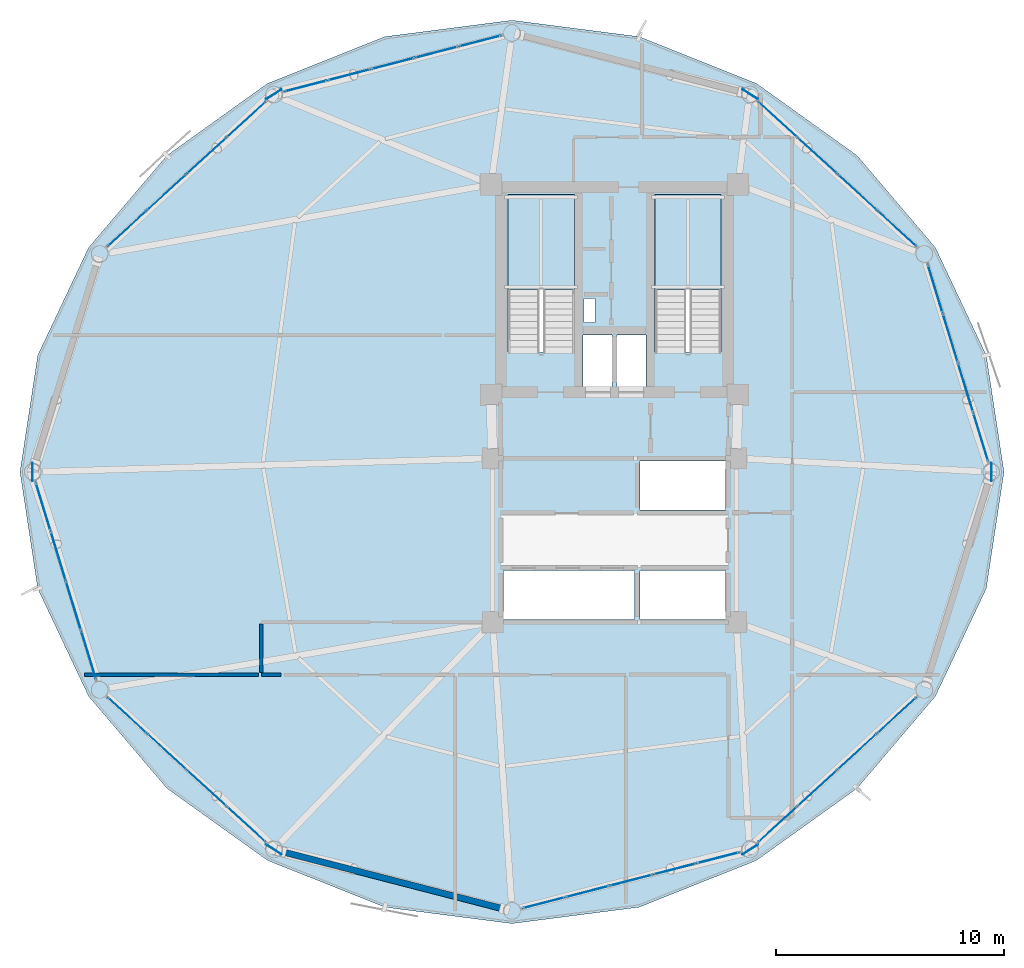
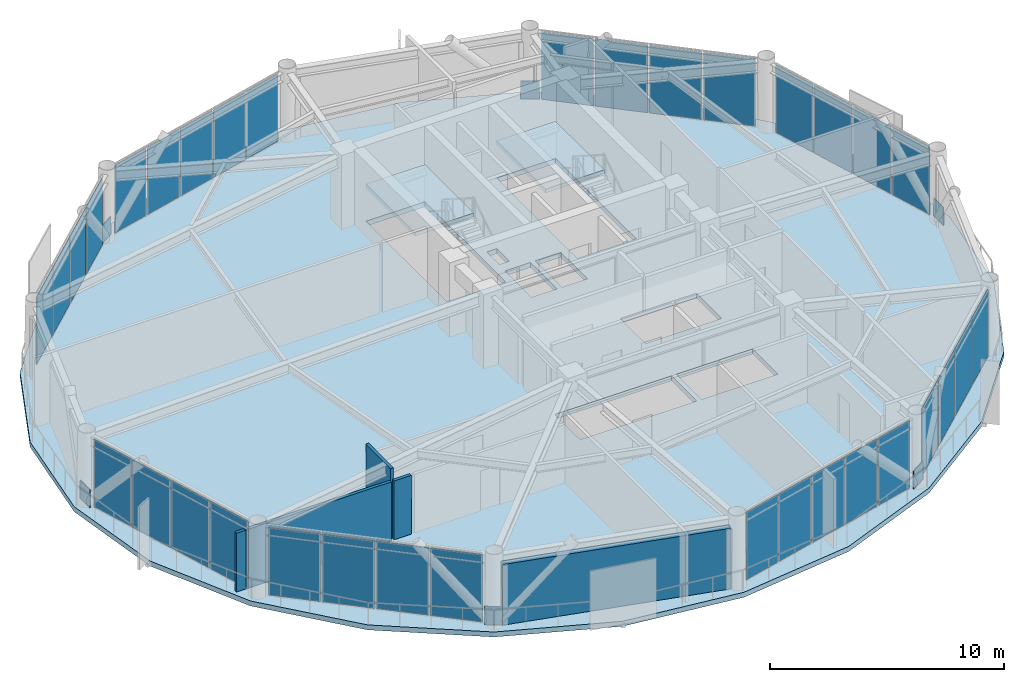
# One storey, part 21 of 27: 40 plates, 4 walls, 3 slabs, 10 elements without a shape of their own.
"""IFC4 building model written with IfcOpenShell, lengths in metres."""

from ifc_helpers import new_model, si_unit, direction, frame, frame_2d, origin, origin_2d, place, context, subcontext, project, spatial, polyline, rectangle, outline, extrude, source, transform, mapped, material, layer, layer_set, type_object, type_shapes, element, aggregate, save


model = new_model("IFC4")

# Units and contexts
model_context = context("Model", 3, precision=1e-05, world=origin(), true_north=direction((0.0, 1.0)))
body_context = subcontext(model_context, "Body", "Model", "MODEL_VIEW")
ifc_project = project(units=[si_unit("LENGTHUNIT", "METRE"), si_unit("AREAUNIT", "SQUARE_METRE"), si_unit("VOLUMEUNIT", "CUBIC_METRE"), si_unit("PLANEANGLEUNIT", "RADIAN"), si_unit("MASSUNIT", "GRAM", prefix="KILO")], contexts=[model_context])

# Site, building, storey
site_placement = place(None, origin())
site = spatial("IfcSite", under=ifc_project, at=site_placement, CompositionType="ELEMENT")
building_placement = place(site_placement, origin())
building = spatial("IfcBuilding", under=site, at=building_placement, Name="Varnakorn Sky Granary", CompositionType="ELEMENT")
storey_placement = place(building_placement, frame((0.0, 0.0, 134.39990234375)))
storey = spatial("IfcBuildingStorey", under=building, at=storey_placement, Name="L33", CompositionType="ELEMENT", Elevation=134.39990234375)

# Plates
ifc_material_1 = material(Name="Steel S460M", Category="steel")
ifc_layer_1 = layer(ifc_material_1, 0.0380859375, Name="Steel S460M")
ifc_layer_set_1 = layer_set([ifc_layer_1], Name="Steel S460M")
plate_type_1 = type_object("IfcPlateType", Name="PL-NODE-KN3", PredefinedType="SHEET", material=ifc_layer_set_1)
for number, where, z_axis, x_axis, name in (
    (1, (19.550048828125, 0.0, 0.000244140625), (0.0, 0.0, 1.0), (0.0, 1.0, 0.0), "Diagrid Node Gusset Assembly KN3 L33-1"),
    (2, (8.95751953125, 16.5791015625, 0.000244140625), (0.0, 0.0, 1.0), (-0.845801399197, 0.533497884828, 0.0), "Diagrid Node Gusset Assembly KN3 L33-3"),
    (3, (-11.95751953125, 16.5791015625, 0.000244140625), (0.0, 0.0, 1.0), (-0.845801399197, -0.533497884828, 0.0), "Diagrid Node Gusset Assembly KN3 L33-5"),
    (4, (-22.550048828125, 0.0, 0.000244140625), (0.0, 0.0, 1.0), (0.0, -1.0, 0.0), "Diagrid Node Gusset Assembly KN3 L33-7"),
    (5, (-11.95751953125, -16.5791015625, 0.000244140625), (0.0, 0.0, 1.0), (0.845801399197, -0.533497884828, 0.0), "Diagrid Node Gusset Assembly KN3 L33-9"),
    (6, (8.95751953125, -16.5791015625, 0.000244140625), (0.0, 0.0, 1.0), (0.845801399197, 0.533497884828, 0.0), "Diagrid Node Gusset Assembly KN3 L33-11"),
):
    element("IfcPlate", number, at=place(storey_placement, frame(where, z_axis=z_axis, x_axis=x_axis)), inside=storey, type_object=plate_type_1, Name=name, PredefinedType="SHEET", context=body_context, shape_type="SweptSolid", body=[
        extrude(rectangle(XDim=0.820068359375, YDim=0.0380859375, at=origin_2d()), origin(), (0.0, 0.0, 1.0), 0.93994140625),
    ])

# Stair, slab
ifc_material_2 = material(Name="Concrete C40/50", Category="concrete")
stair_type = type_object("IfcStairType", Name="ST-MAIN-ASSEMBLY", PredefinedType="HALF_TURN_STAIR", material=ifc_material_2)
stair_1_placement = place(storey_placement, origin())
stair_1 = element("IfcStair", 7, at=stair_1_placement, inside=storey, type_object=stair_type, Name="L33 Protected Exit Stair ST-1", PredefinedType="HALF_TURN_STAIR")
ifc_layer_2 = layer(ifc_material_2, 0.199951171875, Name="Concrete C40/50")
ifc_layer_set_2 = layer_set([ifc_layer_2], Name="Concrete C40/50")
slab_type_1 = type_object("IfcSlabType", Name="ST-MAIN-LAND", PredefinedType="LANDING", material=ifc_layer_set_2)
slab_1_placement = place(storey_placement, frame((0.0, 0.0, 1.75)))
slab_1 = element("IfcSlab", 8, at=slab_1_placement, type_object=slab_type_1, Name="ST-1 landing 1", PredefinedType="LANDING", context=body_context, shape_type="SweptSolid", body=[
    extrude(outline(polyline([(1.239990234375, 8.0), (1.239990234375, 12.179931640625), (-1.669921875, 12.179931640625), (-1.669921875, 8.0), (1.239990234375, 8.0)])), origin(), (0.0, 0.0, 1.0), 0.2001953125),
])
aggregate(stair_1, [slab_1])

stair_2_placement = place(storey_placement, origin())
stair_2 = element("IfcStair", 9, at=stair_2_placement, inside=storey, type_object=stair_type, Name="L33 Protected Exit Stair ST-2", PredefinedType="HALF_TURN_STAIR")
slab_2_placement = place(storey_placement, frame((0.0, 0.0, 1.75)))
slab_2 = element("IfcSlab", 10, at=slab_2_placement, type_object=slab_type_1, Name="ST-2 landing 1", PredefinedType="LANDING", context=body_context, shape_type="SweptSolid", body=[
    extrude(outline(polyline([(7.679931640625, 8.0), (7.679931640625, 12.179931640625), (4.77001953125, 12.179931640625), (4.77001953125, 8.0), (7.679931640625, 8.0)])), origin(), (0.0, 0.0, 1.0), 0.2001953125),
])
aggregate(stair_2, [slab_2])

# Slab
ifc_material_3 = material(Name="Concrete C50/60", Category="concrete")
ifc_layer_3 = layer(ifc_material_3, 0.260009765625, Name="Concrete C50/60")
ifc_layer_set_3 = layer_set([ifc_layer_3], Name="Concrete C50/60")
slab_type_2 = type_object("IfcSlabType", Name="ST-SL-TWR-260", PredefinedType="FLOOR", material=ifc_layer_set_3)
slab_3_placement = place(storey_placement, frame((0.0, 0.0, -0.260009765625)))
element("IfcSlab", 11, at=slab_3_placement, inside=storey, type_object=slab_type_2, Name="Level L33 Structural Floor Slab", PredefinedType="FLOOR", context=body_context, shape_type="SweptSolid", body=[
    extrude(outline(polyline([(20.10009765625, 0.0), (19.320556640625, 5.12060546875), (17.089111328125, 9.846923828125), (13.646240234375, 13.893798828125), (9.232421875, 17.055419921875), (4.078857421875, 19.10986328125), (-1.5, 19.8291015625), (-7.078857421875, 19.10986328125), (-12.232421875, 17.055419921875), (-16.646240234375, 13.893798828125), (-20.089111328125, 9.846923828125), (-22.320556640625, 5.12060546875), (-23.10009765625, 0.0), (-22.320556640625, -5.12060546875), (-20.089111328125, -9.846923828125), (-16.646240234375, -13.893798828125), (-12.232421875, -17.055419921875), (-7.078857421875, -19.10986328125), (-1.5, -19.8291015625), (4.078857421875, -19.10986328125), (9.232421875, -17.055419921875), (13.646240234375, -13.893798828125), (17.089111328125, -9.846923828125), (19.320556640625, -5.12060546875), (20.10009765625, 0.0)]), holes=[polyline([(1.239990234375, 5.27490234375), (1.239990234375, 12.179931640625), (-1.669921875, 12.179931640625), (-1.669921875, 5.27490234375), (1.239990234375, 5.27490234375)]), polyline([(7.679931640625, 5.27490234375), (7.679931640625, 12.179931640625), (4.77001953125, 12.179931640625), (4.77001953125, 5.27490234375), (7.679931640625, 5.27490234375)]), polyline([(1.659912109375, 6.550048828125), (2.14990234375, 6.550048828125), (2.14990234375, 7.6201171875), (1.659912109375, 7.6201171875), (1.659912109375, 6.550048828125)]), polyline([(1.6201171875, 3.739990234375), (2.8798828125, 3.739990234375), (2.8798828125, 6.010009765625), (1.6201171875, 6.010009765625), (1.6201171875, 3.739990234375)]), polyline([(3.1201171875, 3.739990234375), (4.3798828125, 3.739990234375), (4.3798828125, 6.010009765625), (3.1201171875, 6.010009765625), (3.1201171875, 3.739990234375)]), polyline([(4.1201171875, -1.679931640625), (7.8798828125, -1.679931640625), (7.8798828125, 0.47998046875), (4.1201171875, 0.47998046875), (4.1201171875, -1.679931640625)]), polyline([(-1.8798828125, -6.47998046875), (3.8798828125, -6.47998046875), (3.8798828125, -4.320068359375), (-1.8798828125, -4.320068359375), (-1.8798828125, -6.47998046875)]), polyline([(4.1201171875, -6.47998046875), (7.8798828125, -6.47998046875), (7.8798828125, -4.320068359375), (4.1201171875, -4.320068359375), (4.1201171875, -6.47998046875)])]), origin(), (0.0, 0.0, 1.0), 0.260009765625),
])

# Curtain wall, plates
ifc_material_4 = material(Name="Anodised Bronze Aluminium Alloy 6063-T6", Category="aluminium")
ifc_layer_4 = layer(ifc_material_4, 0.179931640625, Name="Anodised Bronze Aluminium Alloy 6063-T6")
ifc_layer_set_4 = layer_set([ifc_layer_4], Name="Anodised Bronze Aluminium Alloy 6063-T6")
curtain_wall_type = type_object("IfcCurtainWallType", Name="CW-FRM-2", PredefinedType="USERDEFINED", material=ifc_layer_set_4)
curtain_wall_1_placement = place(storey_placement, origin())
curtain_wall_1 = element("IfcCurtainWall", 12, at=curtain_wall_1_placement, inside=storey, type_object=curtain_wall_type, Name="Unitised Curtain Wall CW4 CW-L33-B01", ObjectType="CURTAIN WALL", PredefinedType="USERDEFINED")
ifc_material_5 = material(Name="Low-E Tinted Laminated Glass", Category="glass")
ifc_layer_5 = layer(ifc_material_5, 0.02587890625, Name="Low-E Tinted Laminated Glass")
ifc_layer_set_5 = layer_set([ifc_layer_5], Name="Low-E Tinted Laminated Glass")
plate_type_2 = type_object("IfcPlateType", Name="CW-FRM-2-PNL", PredefinedType="CURTAIN_PANEL")
shared_shape_1 = source(origin(), body_context, "Body", "SweptSolid", [
    extrude(rectangle(XDim=2.177734375, YDim=0.02587890625, at=origin_2d()), origin(), (0.0, 0.0, 1.0), 3.510009765625),
])
plate_1_placement = place(storey_placement, frame((17.082275390625, 8.04248046875, 0.06494140625), z_axis=(0.0, 0.0, 1.0), x_axis=(0.293336913524, -0.956009129226, 0.0)))
plate_1 = element("IfcPlate", 13, at=plate_1_placement, type_object=plate_type_2, material=ifc_layer_set_5, Name="CW4 vision glazing unit 1.1", PredefinedType="CURTAIN_PANEL", context=body_context, shape_type="MappedRepresentation", body=[
    mapped(shared_shape_1, transform((0.0, 0.0, 0.0), x_axis=(1.0, 0.0, 0.0), y_axis=(0.0, 1.0, 0.0), z_axis=(0.0, 0.0, 1.0), scale=1.0)),
])
ifc_material_6 = material(Name="Opaque Insulated Aluminium Shadow-Box Unit", Category="aluminium")
ifc_layer_6 = layer(ifc_material_6, 0.02587890625, Name="Opaque Insulated Aluminium Shadow-Box Unit")
ifc_layer_set_6 = layer_set([ifc_layer_6], Name="Opaque Insulated Aluminium Shadow-Box Unit")
plate_2_placement = place(storey_placement, frame((19.08056640625, 1.529541015625, 0.06494140625), z_axis=(0.0, 0.0, 1.0), x_axis=(0.293336913524, -0.956009129226, 0.0)))
plate_2 = element("IfcPlate", 14, at=plate_2_placement, type_object=plate_type_2, material=ifc_layer_set_6, Name="CW4 opaque insulated shadow-box unit 4.1", PredefinedType="CURTAIN_PANEL", context=body_context, shape_type="MappedRepresentation", body=[
    mapped(shared_shape_1, transform((0.0, 0.0, 0.0), x_axis=(1.0, 0.0, 0.0), y_axis=(0.0, 1.0, 0.0), z_axis=(0.0, 0.0, 1.0), scale=1.0)),
])

curtain_wall_2_placement = place(storey_placement, origin())
curtain_wall_2 = element("IfcCurtainWall", 15, at=curtain_wall_2_placement, inside=storey, type_object=curtain_wall_type, Name="Unitised Curtain Wall CW4 CW-L33-B07", ObjectType="CURTAIN WALL", PredefinedType="USERDEFINED")
plate_3_placement = place(storey_placement, frame((-20.082275390625, -8.04248046875, 0.06494140625), z_axis=(0.0, 0.0, 1.0), x_axis=(-0.293336913524, 0.956009129226, 0.0)))
plate_3 = element("IfcPlate", 16, at=plate_3_placement, type_object=plate_type_2, material=ifc_layer_set_5, Name="CW4 vision glazing unit 1.1", PredefinedType="CURTAIN_PANEL", context=body_context, shape_type="MappedRepresentation", body=[
    mapped(shared_shape_1, transform((0.0, 0.0, 0.0), x_axis=(1.0, 0.0, 0.0), y_axis=(0.0, 1.0, 0.0), z_axis=(0.0, 0.0, 1.0), scale=1.0)),
])
plate_4_placement = place(storey_placement, frame((-22.08056640625, -1.529541015625, 0.06494140625), z_axis=(0.0, 0.0, 1.0), x_axis=(-0.293336913524, 0.956009129226, 0.0)))
plate_4 = element("IfcPlate", 17, at=plate_4_placement, type_object=plate_type_2, material=ifc_layer_set_6, Name="CW4 opaque insulated shadow-box unit 4.1", PredefinedType="CURTAIN_PANEL", context=body_context, shape_type="MappedRepresentation", body=[
    mapped(shared_shape_1, transform((0.0, 0.0, 0.0), x_axis=(1.0, 0.0, 0.0), y_axis=(0.0, 1.0, 0.0), z_axis=(0.0, 0.0, 1.0), scale=1.0)),
])

# Plate
shared_shape_2 = source(origin(), body_context, "Body", "SweptSolid", [
    extrude(rectangle(XDim=2.212646484375, YDim=0.02587890625, at=origin_2d()), origin(), (0.0, 0.0, 1.0), 3.510009765625),
])
plate_5_placement = place(storey_placement, frame((17.74658203125, 5.877197265625, 0.06494140625), z_axis=(0.0, 0.0, 1.0), x_axis=(0.293336913524, -0.956009129226, 0.0)))
plate_5 = element("IfcPlate", 18, at=plate_5_placement, type_object=plate_type_2, material=ifc_layer_set_5, Name="CW4 vision glazing unit 2.1", PredefinedType="CURTAIN_PANEL", context=body_context, shape_type="MappedRepresentation", body=[
    mapped(shared_shape_2, transform((0.0, 0.0, 0.0), x_axis=(1.0, 0.0, 0.0), y_axis=(0.0, 1.0, 0.0), z_axis=(0.0, 0.0, 1.0), scale=1.0)),
])

plate_6_placement = place(storey_placement, frame((18.416259765625, 3.69482421875, 0.06494140625), z_axis=(0.0, 0.0, 1.0), x_axis=(0.293336913524, -0.956009129226, 0.0)))
plate_6 = element("IfcPlate", 19, at=plate_6_placement, type_object=plate_type_2, material=ifc_layer_set_6, Name="CW4 opaque insulated shadow-box unit 3.1", PredefinedType="CURTAIN_PANEL", context=body_context, shape_type="MappedRepresentation", body=[
    mapped(shared_shape_2, transform((0.0, 0.0, 0.0), x_axis=(1.0, 0.0, 0.0), y_axis=(0.0, 1.0, 0.0), z_axis=(0.0, 0.0, 1.0), scale=1.0)),
])

aggregate(curtain_wall_1, [plate_1, plate_5, plate_6, plate_2])

plate_7_placement = place(storey_placement, frame((-20.74658203125, -5.877197265625, 0.06494140625), z_axis=(0.0, 0.0, 1.0), x_axis=(-0.293336913524, 0.956009129226, 0.0)))
plate_7 = element("IfcPlate", 20, at=plate_7_placement, type_object=plate_type_2, material=ifc_layer_set_5, Name="CW4 vision glazing unit 2.1", PredefinedType="CURTAIN_PANEL", context=body_context, shape_type="MappedRepresentation", body=[
    mapped(shared_shape_2, transform((0.0, 0.0, 0.0), x_axis=(1.0, 0.0, 0.0), y_axis=(0.0, 1.0, 0.0), z_axis=(0.0, 0.0, 1.0), scale=1.0)),
])

plate_8_placement = place(storey_placement, frame((-21.416259765625, -3.69482421875, 0.06494140625), z_axis=(0.0, 0.0, 1.0), x_axis=(-0.293336913524, 0.956009129226, 0.0)))
plate_8 = element("IfcPlate", 21, at=plate_8_placement, type_object=plate_type_2, material=ifc_layer_set_6, Name="CW4 opaque insulated shadow-box unit 3.1", PredefinedType="CURTAIN_PANEL", context=body_context, shape_type="MappedRepresentation", body=[
    mapped(shared_shape_2, transform((0.0, 0.0, 0.0), x_axis=(1.0, 0.0, 0.0), y_axis=(0.0, 1.0, 0.0), z_axis=(0.0, 0.0, 1.0), scale=1.0)),
])

aggregate(curtain_wall_2, [plate_3, plate_7, plate_8, plate_4])

# Curtain wall, plates
curtain_wall_3_placement = place(storey_placement, origin())
curtain_wall_3 = element("IfcCurtainWall", 22, at=curtain_wall_3_placement, inside=storey, type_object=curtain_wall_type, Name="Unitised Curtain Wall CW4 CW-L33-B02", ObjectType="CURTAIN WALL", PredefinedType="USERDEFINED")
shared_shape_3 = source(origin(), body_context, "Body", "SweptSolid", [
    extrude(rectangle(XDim=2.26904296875, YDim=0.02587890625, at=origin_2d()), origin(), (0.0, 0.0, 1.0), 3.510009765625),
])
plate_9_placement = place(storey_placement, frame((10.17138671875, 15.468017578125, 0.06494140625), z_axis=(0.0, 0.0, 1.0), x_axis=(0.737650510664, -0.675182733871, 0.0)))
plate_9 = element("IfcPlate", 23, at=plate_9_placement, type_object=plate_type_2, material=ifc_layer_set_6, Name="CW4 opaque insulated shadow-box unit 1.1", PredefinedType="CURTAIN_PANEL", context=body_context, shape_type="MappedRepresentation", body=[
    mapped(shared_shape_3, transform((0.0, 0.0, 0.0), x_axis=(1.0, 0.0, 0.0), y_axis=(0.0, 1.0, 0.0), z_axis=(0.0, 0.0, 1.0), scale=1.0)),
])
plate_10_placement = place(storey_placement, frame((15.399169921875, 10.68310546875, 0.06494140625), z_axis=(0.0, 0.0, 1.0), x_axis=(0.737650510664, -0.675182733871, 0.0)))
plate_10 = element("IfcPlate", 24, at=plate_10_placement, type_object=plate_type_2, material=ifc_layer_set_5, Name="CW4 vision glazing unit 4.1", PredefinedType="CURTAIN_PANEL", context=body_context, shape_type="MappedRepresentation", body=[
    mapped(shared_shape_3, transform((0.0, 0.0, 0.0), x_axis=(1.0, 0.0, 0.0), y_axis=(0.0, 1.0, 0.0), z_axis=(0.0, 0.0, 1.0), scale=1.0)),
])

curtain_wall_4_placement = place(storey_placement, origin())
curtain_wall_4 = element("IfcCurtainWall", 25, at=curtain_wall_4_placement, inside=storey, type_object=curtain_wall_type, Name="Unitised Curtain Wall CW4 CW-L33-B05", ObjectType="CURTAIN WALL", PredefinedType="USERDEFINED")
plate_11_placement = place(storey_placement, frame((-18.399169921875, 10.68310546875, 0.06494140625), z_axis=(0.0, 0.0, 1.0), x_axis=(0.737650510664, 0.675182733871, 0.0)))
plate_11 = element("IfcPlate", 26, at=plate_11_placement, type_object=plate_type_2, material=ifc_layer_set_5, Name="CW4 vision glazing unit 1.1", PredefinedType="CURTAIN_PANEL", context=body_context, shape_type="MappedRepresentation", body=[
    mapped(shared_shape_3, transform((0.0, 0.0, 0.0), x_axis=(1.0, 0.0, 0.0), y_axis=(0.0, 1.0, 0.0), z_axis=(0.0, 0.0, 1.0), scale=1.0)),
])
plate_12_placement = place(storey_placement, frame((-13.17138671875, 15.468017578125, 0.06494140625), z_axis=(0.0, 0.0, 1.0), x_axis=(0.737650510664, 0.675182733871, 0.0)))
plate_12 = element("IfcPlate", 27, at=plate_12_placement, type_object=plate_type_2, material=ifc_layer_set_6, Name="CW4 opaque insulated shadow-box unit 4.1", PredefinedType="CURTAIN_PANEL", context=body_context, shape_type="MappedRepresentation", body=[
    mapped(shared_shape_3, transform((0.0, 0.0, 0.0), x_axis=(1.0, 0.0, 0.0), y_axis=(0.0, 1.0, 0.0), z_axis=(0.0, 0.0, 1.0), scale=1.0)),
])

curtain_wall_5_placement = place(storey_placement, origin())
curtain_wall_5 = element("IfcCurtainWall", 28, at=curtain_wall_5_placement, inside=storey, type_object=curtain_wall_type, Name="Unitised Curtain Wall CW4 CW-L33-B08", ObjectType="CURTAIN WALL", PredefinedType="USERDEFINED")
plate_13_placement = place(storey_placement, frame((-13.17138671875, -15.468017578125, 0.06494140625), z_axis=(0.0, 0.0, 1.0), x_axis=(-0.737650510664, 0.675182733871, 0.0)))
plate_13 = element("IfcPlate", 29, at=plate_13_placement, type_object=plate_type_2, material=ifc_layer_set_6, Name="CW4 opaque insulated shadow-box unit 1.1", PredefinedType="CURTAIN_PANEL", context=body_context, shape_type="MappedRepresentation", body=[
    mapped(shared_shape_3, transform((0.0, 0.0, 0.0), x_axis=(1.0, 0.0, 0.0), y_axis=(0.0, 1.0, 0.0), z_axis=(0.0, 0.0, 1.0), scale=1.0)),
])
plate_14_placement = place(storey_placement, frame((-18.399169921875, -10.68310546875, 0.06494140625), z_axis=(0.0, 0.0, 1.0), x_axis=(-0.737650510664, 0.675182733871, 0.0)))
plate_14 = element("IfcPlate", 30, at=plate_14_placement, type_object=plate_type_2, material=ifc_layer_set_5, Name="CW4 vision glazing unit 4.1", PredefinedType="CURTAIN_PANEL", context=body_context, shape_type="MappedRepresentation", body=[
    mapped(shared_shape_3, transform((0.0, 0.0, 0.0), x_axis=(1.0, 0.0, 0.0), y_axis=(0.0, 1.0, 0.0), z_axis=(0.0, 0.0, 1.0), scale=1.0)),
])

curtain_wall_6_placement = place(storey_placement, origin())
curtain_wall_6 = element("IfcCurtainWall", 31, at=curtain_wall_6_placement, inside=storey, type_object=curtain_wall_type, Name="Unitised Curtain Wall CW4 CW-L33-B11", ObjectType="CURTAIN WALL", PredefinedType="USERDEFINED")
plate_15_placement = place(storey_placement, frame((15.399169921875, -10.68310546875, 0.06494140625), z_axis=(0.0, 0.0, 1.0), x_axis=(-0.737650510664, -0.675182733871, 0.0)))
plate_15 = element("IfcPlate", 32, at=plate_15_placement, type_object=plate_type_2, material=ifc_layer_set_5, Name="CW4 vision glazing unit 1.1", PredefinedType="CURTAIN_PANEL", context=body_context, shape_type="MappedRepresentation", body=[
    mapped(shared_shape_3, transform((0.0, 0.0, 0.0), x_axis=(1.0, 0.0, 0.0), y_axis=(0.0, 1.0, 0.0), z_axis=(0.0, 0.0, 1.0), scale=1.0)),
])
plate_16_placement = place(storey_placement, frame((10.17138671875, -15.468017578125, 0.06494140625), z_axis=(0.0, 0.0, 1.0), x_axis=(-0.737650510664, -0.675182733871, 0.0)))
plate_16 = element("IfcPlate", 33, at=plate_16_placement, type_object=plate_type_2, material=ifc_layer_set_6, Name="CW4 opaque insulated shadow-box unit 4.1", PredefinedType="CURTAIN_PANEL", context=body_context, shape_type="MappedRepresentation", body=[
    mapped(shared_shape_3, transform((0.0, 0.0, 0.0), x_axis=(1.0, 0.0, 0.0), y_axis=(0.0, 1.0, 0.0), z_axis=(0.0, 0.0, 1.0), scale=1.0)),
])

# Plate
shared_shape_4 = source(origin(), body_context, "Body", "SweptSolid", [
    extrude(rectangle(XDim=2.303955078125, YDim=0.02587890625, at=origin_2d()), origin(), (0.0, 0.0, 1.0), 3.510009765625),
])
plate_17_placement = place(storey_placement, frame((11.90966796875, 13.876953125, 0.06494140625), z_axis=(0.0, 0.0, 1.0), x_axis=(0.737650510664, -0.675182733871, 0.0)))
plate_17 = element("IfcPlate", 34, at=plate_17_placement, type_object=plate_type_2, material=ifc_layer_set_6, Name="CW4 opaque insulated shadow-box unit 2.1", PredefinedType="CURTAIN_PANEL", context=body_context, shape_type="MappedRepresentation", body=[
    mapped(shared_shape_4, transform((0.0, 0.0, 0.0), x_axis=(1.0, 0.0, 0.0), y_axis=(0.0, 1.0, 0.0), z_axis=(0.0, 0.0, 1.0), scale=1.0)),
])

plate_18_placement = place(storey_placement, frame((13.660888671875, 12.274169921875, 0.06494140625), z_axis=(0.0, 0.0, 1.0), x_axis=(0.737650510664, -0.675182733871, 0.0)))
plate_18 = element("IfcPlate", 35, at=plate_18_placement, type_object=plate_type_2, material=ifc_layer_set_5, Name="CW4 vision glazing unit 3.1", PredefinedType="CURTAIN_PANEL", context=body_context, shape_type="MappedRepresentation", body=[
    mapped(shared_shape_4, transform((0.0, 0.0, 0.0), x_axis=(1.0, 0.0, 0.0), y_axis=(0.0, 1.0, 0.0), z_axis=(0.0, 0.0, 1.0), scale=1.0)),
])

aggregate(curtain_wall_3, [plate_9, plate_17, plate_18, plate_10])

plate_19_placement = place(storey_placement, frame((-16.660888671875, 12.274169921875, 0.06494140625), z_axis=(0.0, 0.0, 1.0), x_axis=(0.737650510664, 0.675182733871, 0.0)))
plate_19 = element("IfcPlate", 36, at=plate_19_placement, type_object=plate_type_2, material=ifc_layer_set_5, Name="CW4 vision glazing unit 2.1", PredefinedType="CURTAIN_PANEL", context=body_context, shape_type="MappedRepresentation", body=[
    mapped(shared_shape_4, transform((0.0, 0.0, 0.0), x_axis=(1.0, 0.0, 0.0), y_axis=(0.0, 1.0, 0.0), z_axis=(0.0, 0.0, 1.0), scale=1.0)),
])

plate_20_placement = place(storey_placement, frame((-14.90966796875, 13.876953125, 0.06494140625), z_axis=(0.0, 0.0, 1.0), x_axis=(0.737650510664, 0.675182733871, 0.0)))
plate_20 = element("IfcPlate", 37, at=plate_20_placement, type_object=plate_type_2, material=ifc_layer_set_6, Name="CW4 opaque insulated shadow-box unit 3.1", PredefinedType="CURTAIN_PANEL", context=body_context, shape_type="MappedRepresentation", body=[
    mapped(shared_shape_4, transform((0.0, 0.0, 0.0), x_axis=(1.0, 0.0, 0.0), y_axis=(0.0, 1.0, 0.0), z_axis=(0.0, 0.0, 1.0), scale=1.0)),
])

aggregate(curtain_wall_4, [plate_11, plate_19, plate_20, plate_12])

plate_21_placement = place(storey_placement, frame((-14.90966796875, -13.876953125, 0.06494140625), z_axis=(0.0, 0.0, 1.0), x_axis=(-0.737650510664, 0.675182733871, 0.0)))
plate_21 = element("IfcPlate", 38, at=plate_21_placement, type_object=plate_type_2, material=ifc_layer_set_6, Name="CW4 opaque insulated shadow-box unit 2.1", PredefinedType="CURTAIN_PANEL", context=body_context, shape_type="MappedRepresentation", body=[
    mapped(shared_shape_4, transform((0.0, 0.0, 0.0), x_axis=(1.0, 0.0, 0.0), y_axis=(0.0, 1.0, 0.0), z_axis=(0.0, 0.0, 1.0), scale=1.0)),
])

plate_22_placement = place(storey_placement, frame((-16.660888671875, -12.274169921875, 0.06494140625), z_axis=(0.0, 0.0, 1.0), x_axis=(-0.737650510664, 0.675182733871, 0.0)))
plate_22 = element("IfcPlate", 39, at=plate_22_placement, type_object=plate_type_2, material=ifc_layer_set_5, Name="CW4 vision glazing unit 3.1", PredefinedType="CURTAIN_PANEL", context=body_context, shape_type="MappedRepresentation", body=[
    mapped(shared_shape_4, transform((0.0, 0.0, 0.0), x_axis=(1.0, 0.0, 0.0), y_axis=(0.0, 1.0, 0.0), z_axis=(0.0, 0.0, 1.0), scale=1.0)),
])

aggregate(curtain_wall_5, [plate_13, plate_21, plate_22, plate_14])

plate_23_placement = place(storey_placement, frame((13.660888671875, -12.274169921875, 0.06494140625), z_axis=(0.0, 0.0, 1.0), x_axis=(-0.737650510664, -0.675182733871, 0.0)))
plate_23 = element("IfcPlate", 40, at=plate_23_placement, type_object=plate_type_2, material=ifc_layer_set_5, Name="CW4 vision glazing unit 2.1", PredefinedType="CURTAIN_PANEL", context=body_context, shape_type="MappedRepresentation", body=[
    mapped(shared_shape_4, transform((0.0, 0.0, 0.0), x_axis=(1.0, 0.0, 0.0), y_axis=(0.0, 1.0, 0.0), z_axis=(0.0, 0.0, 1.0), scale=1.0)),
])

plate_24_placement = place(storey_placement, frame((11.90966796875, -13.876953125, 0.06494140625), z_axis=(0.0, 0.0, 1.0), x_axis=(-0.737650510664, -0.675182733871, 0.0)))
plate_24 = element("IfcPlate", 41, at=plate_24_placement, type_object=plate_type_2, material=ifc_layer_set_6, Name="CW4 opaque insulated shadow-box unit 3.1", PredefinedType="CURTAIN_PANEL", context=body_context, shape_type="MappedRepresentation", body=[
    mapped(shared_shape_4, transform((0.0, 0.0, 0.0), x_axis=(1.0, 0.0, 0.0), y_axis=(0.0, 1.0, 0.0), z_axis=(0.0, 0.0, 1.0), scale=1.0)),
])

aggregate(curtain_wall_6, [plate_15, plate_23, plate_24, plate_16])

# Curtain wall, plates
curtain_wall_7_placement = place(storey_placement, origin())
curtain_wall_7 = element("IfcCurtainWall", 42, at=curtain_wall_7_placement, inside=storey, type_object=curtain_wall_type, Name="Unitised Curtain Wall CW4 CW-L33-B04", ObjectType="CURTAIN WALL", PredefinedType="USERDEFINED")
shared_shape_5 = source(origin(), body_context, "Body", "SweptSolid", [
    extrude(rectangle(XDim=1.878662109375, YDim=0.02587890625, at=origin_2d()), origin(), (0.0, 0.0, 1.0), 3.510009765625),
])
plate_25_placement = place(storey_placement, frame((-10.55322265625, 16.941650390625, 0.06494140625), z_axis=(0.0, 0.0, 1.0), x_axis=(0.968251035591, 0.249979863344, 0.0)))
plate_25 = element("IfcPlate", 43, at=plate_25_placement, type_object=plate_type_2, material=ifc_layer_set_6, Name="CW4 opaque insulated shadow-box unit 1.1", PredefinedType="CURTAIN_PANEL", context=body_context, shape_type="MappedRepresentation", body=[
    mapped(shared_shape_5, transform((0.0, 0.0, 0.0), x_axis=(1.0, 0.0, 0.0), y_axis=(0.0, 1.0, 0.0), z_axis=(0.0, 0.0, 1.0), scale=1.0)),
])
plate_26_placement = place(storey_placement, frame((-2.904296875, 18.91650390625, 0.06494140625), z_axis=(0.0, 0.0, 1.0), x_axis=(0.968251035591, 0.249979863344, 0.0)))
plate_26 = element("IfcPlate", 44, at=plate_26_placement, type_object=plate_type_2, material=ifc_layer_set_5, Name="CW4 vision glazing unit 5.1", PredefinedType="CURTAIN_PANEL", context=body_context, shape_type="MappedRepresentation", body=[
    mapped(shared_shape_5, transform((0.0, 0.0, 0.0), x_axis=(1.0, 0.0, 0.0), y_axis=(0.0, 1.0, 0.0), z_axis=(0.0, 0.0, 1.0), scale=1.0)),
])

curtain_wall_8_placement = place(storey_placement, origin())
curtain_wall_8 = element("IfcCurtainWall", 45, at=curtain_wall_8_placement, inside=storey, type_object=curtain_wall_type, Name="Unitised Curtain Wall CW4 CW-L33-B10", ObjectType="CURTAIN WALL", PredefinedType="USERDEFINED")
plate_27_placement = place(storey_placement, frame((7.55322265625, -16.941650390625, 0.06494140625), z_axis=(0.0, 0.0, 1.0), x_axis=(-0.968251035591, -0.249979863344, 0.0)))
plate_27 = element("IfcPlate", 46, at=plate_27_placement, type_object=plate_type_2, material=ifc_layer_set_6, Name="CW4 opaque insulated shadow-box unit 1.1", PredefinedType="CURTAIN_PANEL", context=body_context, shape_type="MappedRepresentation", body=[
    mapped(shared_shape_5, transform((0.0, 0.0, 0.0), x_axis=(1.0, 0.0, 0.0), y_axis=(0.0, 1.0, 0.0), z_axis=(0.0, 0.0, 1.0), scale=1.0)),
])
plate_28_placement = place(storey_placement, frame((-0.095703125, -18.91650390625, 0.06494140625), z_axis=(0.0, 0.0, 1.0), x_axis=(-0.968251035591, -0.249979863344, 0.0)))
plate_28 = element("IfcPlate", 47, at=plate_28_placement, type_object=plate_type_2, material=ifc_layer_set_5, Name="CW4 vision glazing unit 5.1", PredefinedType="CURTAIN_PANEL", context=body_context, shape_type="MappedRepresentation", body=[
    mapped(shared_shape_5, transform((0.0, 0.0, 0.0), x_axis=(1.0, 0.0, 0.0), y_axis=(0.0, 1.0, 0.0), z_axis=(0.0, 0.0, 1.0), scale=1.0)),
])

# Plate
shared_shape_6 = source(origin(), body_context, "Body", "SweptSolid", [
    extrude(rectangle(XDim=1.91357421875, YDim=0.02587890625, at=origin_2d()), origin(), (0.0, 0.0, 1.0), 3.510009765625),
])
type_shapes(plate_type_2, [shared_shape_1, shared_shape_2, shared_shape_3, shared_shape_4, shared_shape_5, shared_shape_6])
plate_29_placement = place(storey_placement, frame((-8.6494140625, 17.43310546875, 0.06494140625), z_axis=(0.0, 0.0, 1.0), x_axis=(0.968251035591, 0.249979863344, 0.0)))
plate_29 = element("IfcPlate", 48, at=plate_29_placement, type_object=plate_type_2, material=ifc_layer_set_6, Name="CW4 opaque insulated shadow-box unit 2.1", PredefinedType="CURTAIN_PANEL", context=body_context, shape_type="MappedRepresentation", body=[
    mapped(shared_shape_6, transform((0.0, 0.0, 0.0), x_axis=(1.0, 0.0, 0.0), y_axis=(0.0, 1.0, 0.0), z_axis=(0.0, 0.0, 1.0), scale=1.0)),
])

plate_30_placement = place(storey_placement, frame((-6.728759765625, 17.92919921875, 0.06494140625), z_axis=(0.0, 0.0, 1.0), x_axis=(0.968251035591, 0.249979863344, 0.0)))
plate_30 = element("IfcPlate", 49, at=plate_30_placement, type_object=plate_type_2, material=ifc_layer_set_5, Name="CW4 vision glazing unit 3.1", PredefinedType="CURTAIN_PANEL", context=body_context, shape_type="MappedRepresentation", body=[
    mapped(shared_shape_6, transform((0.0, 0.0, 0.0), x_axis=(1.0, 0.0, 0.0), y_axis=(0.0, 1.0, 0.0), z_axis=(0.0, 0.0, 1.0), scale=1.0)),
])

plate_31_placement = place(storey_placement, frame((-4.80810546875, 18.425048828125, 0.06494140625), z_axis=(0.0, 0.0, 1.0), x_axis=(0.968251035591, 0.249979863344, 0.0)))
plate_31 = element("IfcPlate", 50, at=plate_31_placement, type_object=plate_type_2, material=ifc_layer_set_5, Name="CW4 vision glazing unit 4.1", PredefinedType="CURTAIN_PANEL", context=body_context, shape_type="MappedRepresentation", body=[
    mapped(shared_shape_6, transform((0.0, 0.0, 0.0), x_axis=(1.0, 0.0, 0.0), y_axis=(0.0, 1.0, 0.0), z_axis=(0.0, 0.0, 1.0), scale=1.0)),
])

aggregate(curtain_wall_7, [plate_25, plate_29, plate_30, plate_31, plate_26])

plate_32_placement = place(storey_placement, frame((5.6494140625, -17.43310546875, 0.06494140625), z_axis=(0.0, 0.0, 1.0), x_axis=(-0.968251035591, -0.249979863344, 0.0)))
plate_32 = element("IfcPlate", 51, at=plate_32_placement, type_object=plate_type_2, material=ifc_layer_set_6, Name="CW4 opaque insulated shadow-box unit 2.1", PredefinedType="CURTAIN_PANEL", context=body_context, shape_type="MappedRepresentation", body=[
    mapped(shared_shape_6, transform((0.0, 0.0, 0.0), x_axis=(1.0, 0.0, 0.0), y_axis=(0.0, 1.0, 0.0), z_axis=(0.0, 0.0, 1.0), scale=1.0)),
])

plate_33_placement = place(storey_placement, frame((3.728759765625, -17.92919921875, 0.06494140625), z_axis=(0.0, 0.0, 1.0), x_axis=(-0.968251035591, -0.249979863344, 0.0)))
plate_33 = element("IfcPlate", 52, at=plate_33_placement, type_object=plate_type_2, material=ifc_layer_set_5, Name="CW4 vision glazing unit 3.1", PredefinedType="CURTAIN_PANEL", context=body_context, shape_type="MappedRepresentation", body=[
    mapped(shared_shape_6, transform((0.0, 0.0, 0.0), x_axis=(1.0, 0.0, 0.0), y_axis=(0.0, 1.0, 0.0), z_axis=(0.0, 0.0, 1.0), scale=1.0)),
])

plate_34_placement = place(storey_placement, frame((1.80810546875, -18.425048828125, 0.06494140625), z_axis=(0.0, 0.0, 1.0), x_axis=(-0.968251035591, -0.249979863344, 0.0)))
plate_34 = element("IfcPlate", 53, at=plate_34_placement, type_object=plate_type_2, material=ifc_layer_set_5, Name="CW4 vision glazing unit 4.1", PredefinedType="CURTAIN_PANEL", context=body_context, shape_type="MappedRepresentation", body=[
    mapped(shared_shape_6, transform((0.0, 0.0, 0.0), x_axis=(1.0, 0.0, 0.0), y_axis=(0.0, 1.0, 0.0), z_axis=(0.0, 0.0, 1.0), scale=1.0)),
])

aggregate(curtain_wall_8, [plate_27, plate_32, plate_33, plate_34, plate_28])

# Walls
ifc_material_7 = material(Name="Precast concrete C40/50", Category="concrete")
ifc_layer_7 = layer(ifc_material_7, 0.280029296875, Name="Precast concrete C40/50")
ifc_layer_set_7 = layer_set([ifc_layer_7], Name="Precast concrete C40/50")
wall_type_1 = type_object("IfcWallType", Name="WT-EW-CRN-280", PredefinedType="SOLIDWALL", material=ifc_layer_set_7)
wall_1_placement = place(storey_placement, frame((-1.8251953125, -19.195068359375, 0.0), z_axis=(0.0, 0.0, 1.0), x_axis=(-0.968249285974, 0.249986640067, 0.0)))
element("IfcWall", 54, at=wall_1_placement, inside=storey, type_object=wall_type_1, Name="Agritech Insulated Precast Facade Wall L33-P09", PredefinedType="SOLIDWALL", context=body_context, shape_type="SweptSolid", body=[
    extrude(rectangle(XDim=10.12841796875, YDim=0.280029296875, at=frame_2d((5.064208984375, 0.0))), origin(), (0.0, 0.0, 1.0), 3.16015625),
])
ifc_material_8 = material(Name="Gypsum Plasterboard on Steel Stud", Category="steel")
ifc_layer_8 = layer(ifc_material_8, 0.14990234375, Name="Gypsum Plasterboard on Steel Stud")
ifc_layer_set_8 = layer_set([ifc_layer_8], Name="Gypsum Plasterboard on Steel Stud")
wall_type_2 = type_object("IfcWallType", Name="WT-PART-150", PredefinedType="PARTITIONING", material=ifc_layer_set_8)
wall_2_placement = place(storey_placement, frame((-12.5, -8.89990234375, 0.0), z_axis=(0.0, 0.0, 1.0), x_axis=(1.0, 0.0, 0.0)))
element("IfcWall", 55, at=wall_2_placement, inside=storey, type_object=wall_type_2, Name="Interior Partition Wall L33-034", PredefinedType="PARTITIONING", context=body_context, shape_type="SweptSolid", body=[
    extrude(rectangle(XDim=0.864990234375, YDim=0.14990234375, at=frame_2d((0.4326171875, 0.0))), origin(), (0.0, 0.0, 1.0), 3.072021484375),
])
wall_3_placement = place(storey_placement, frame((-20.27197265625, -8.89990234375, 0.0), z_axis=(0.0, 0.0, 1.0), x_axis=(1.0, 0.0, 0.0)))
element("IfcWall", 56, at=wall_3_placement, inside=storey, type_object=wall_type_2, Name="Interior Partition Wall L33-036", PredefinedType="PARTITIONING", context=body_context, shape_type="SweptSolid", body=[
    extrude(rectangle(XDim=7.636962890625, YDim=0.14990234375, at=frame_2d((3.818359375, 0.0))), origin(), (0.0, 0.0, 1.0), 3.072021484375),
])
wall_4_placement = place(storey_placement, frame((-12.5, -6.68505859375, 0.0), z_axis=(0.0, 0.0, 1.0), x_axis=(0.0, -1.0, 0.0)))
element("IfcWall", 57, at=wall_4_placement, inside=storey, type_object=wall_type_2, Name="Interior Partition Wall L33-042", PredefinedType="PARTITIONING", context=body_context, shape_type="SweptSolid", body=[
    extrude(rectangle(XDim=2.1298828125, YDim=0.14990234375, at=frame_2d((1.06494140625, 0.0))), origin(), (0.0, 0.0, 1.0), 3.64013671875),
])

save(model, "model.ifc")
